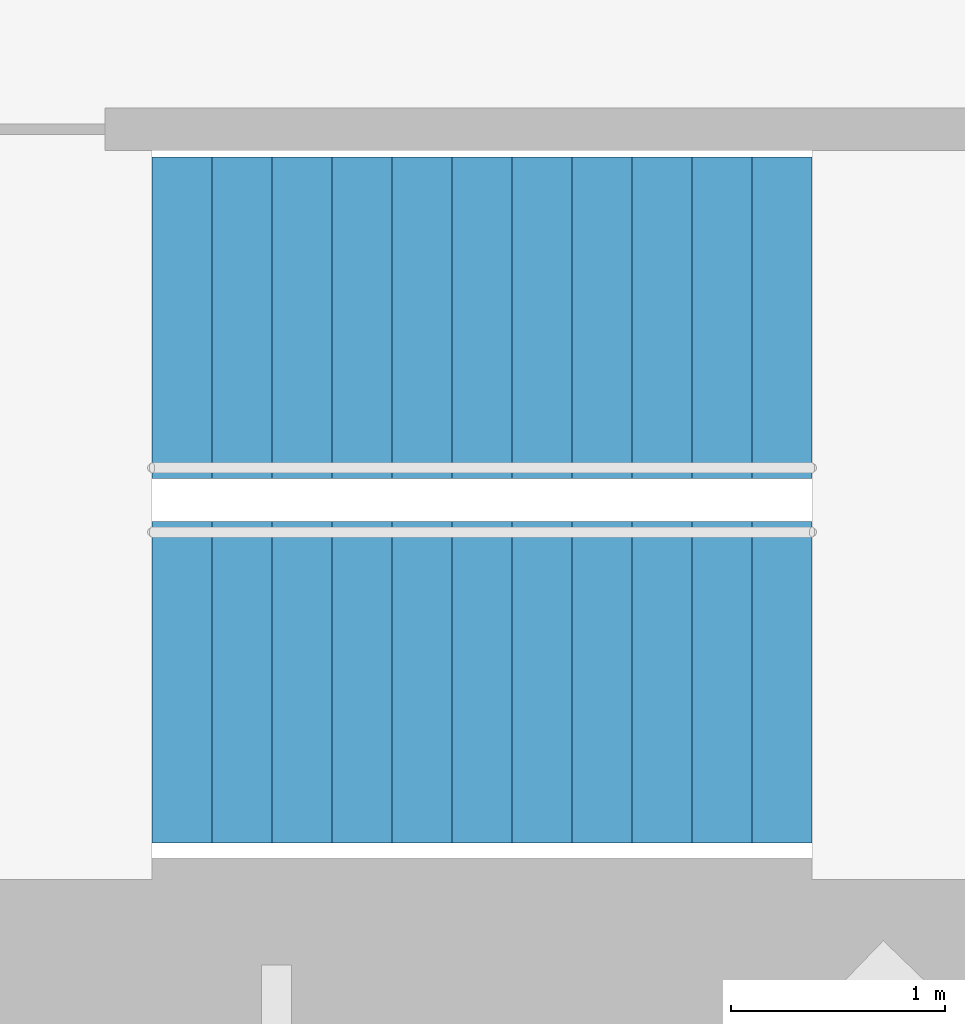
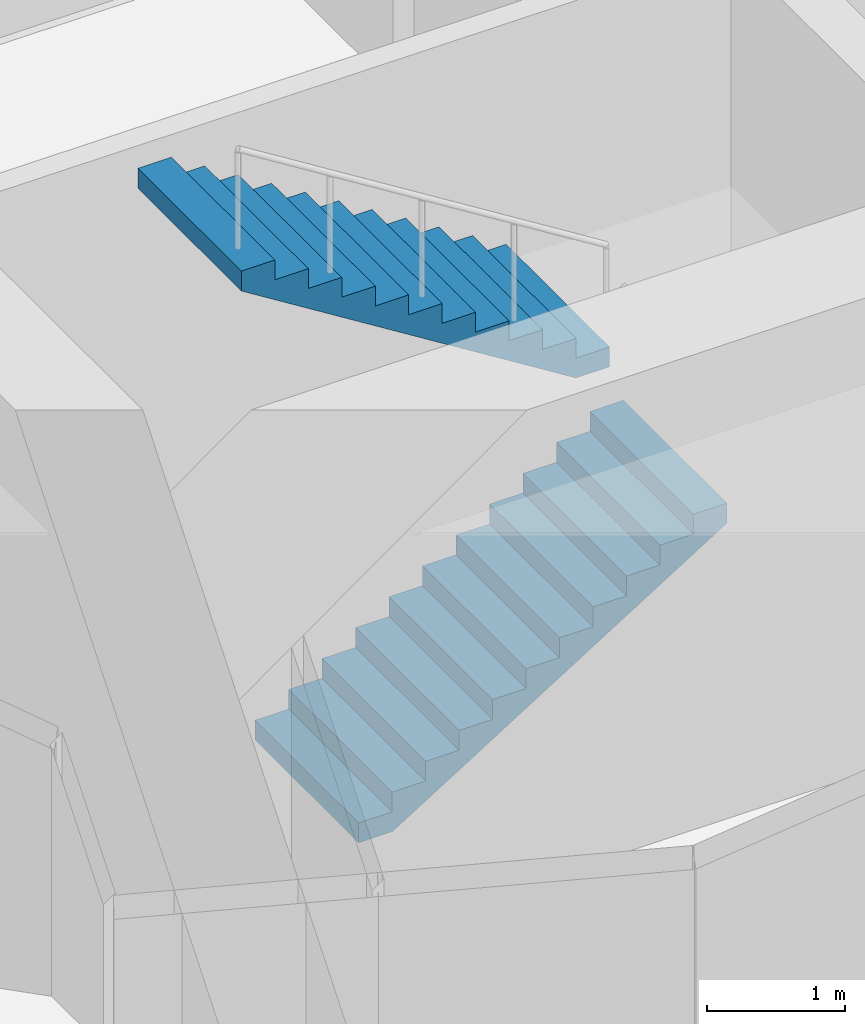
# One storey, part 16 of 18: 2 stair flights, 1 element without a shape of its own.
"""IFC4 building model written with IfcOpenShell, lengths in metres."""

from ifc_helpers import new_model, si_unit, direction, frame, origin, place, context, subcontext, project, spatial, triangles, material, type_object, element, aggregate, save


model = new_model("IFC4")

# Units and contexts
model_context = context("Model", 3, precision=1e-05, world=origin(), true_north=direction((0.0, 1.0)))
body_context = subcontext(model_context, "Body", "Model", "MODEL_VIEW")
ifc_project = project(units=[si_unit("LENGTHUNIT", "METRE"), si_unit("AREAUNIT", "SQUARE_METRE"), si_unit("VOLUMEUNIT", "CUBIC_METRE"), si_unit("PLANEANGLEUNIT", "RADIAN"), si_unit("MASSUNIT", "GRAM", prefix="KILO")], contexts=[model_context])

# Site, building, storey
site_placement = place(None, origin())
site = spatial("IfcSite", under=ifc_project, at=site_placement, CompositionType="ELEMENT")
building_placement = place(site_placement, origin())
building = spatial("IfcBuilding", under=site, at=building_placement, Name="Lantaw Convention Tower", CompositionType="ELEMENT")
storey_placement = place(building_placement, frame((0.0, 0.0, 228.39990234375)))
storey = spatial("IfcBuildingStorey", under=building, at=storey_placement, Name="L53", CompositionType="ELEMENT", Elevation=228.39990234375)

# Stair, stair flights
ifc_material = material(Name="Concrete C35/45", Category="concrete")
stair_type = type_object("IfcStairType", Name="Exit stair 1500 riser 175 in 2 flights", PredefinedType="HALF_TURN_STAIR", material=ifc_material)
stair_placement = place(storey_placement, origin())
stair = element("IfcStair", 1, at=stair_placement, inside=storey, type_object=stair_type, Name="Exit stair S1 L53", PredefinedType="HALF_TURN_STAIR")
stair_flight_type = type_object("IfcStairFlightType", Name="Stair flight 1500 riser 175", PredefinedType="STRAIGHT", material=ifc_material)
stair_flight_1_placement = place(storey_placement, frame((-10.580078125, -5.97998046875, 0.0), z_axis=(0.0, 0.0, 1.0), x_axis=(1.0, 0.0, 0.0)))
stair_flight_1 = element("IfcStairFlight", 2, at=stair_flight_1_placement, type_object=stair_flight_type, Name="S1 flight 1", NumberOfRisers=12, NumberOfTreads=11, PredefinedType="STRAIGHT", RiserHeight=0.175, TreadLength=0.28, context=body_context, shape_type="Tessellation", body=[
    triangles([(0.0, 0.75, 0.0), (0.0, 0.75, 0.175), (0.28, 0.75, 0.0), (0.28, 0.75, 0.175), (0.28, 0.75, 0.35), (0.28283517651771284, 0.75, 0.0), (0.28283517651771284, 0.75, 0.35), (0.56, 0.75, 0.17322801467642948), (0.56, 0.75, 0.35), (0.56, 0.75, 0.5249999999999999), (0.8400000000000001, 0.75, 0.34822801467642944), (0.8400000000000001, 0.75, 0.5249999999999999), (0.8400000000000001, 0.75, 0.7), (1.12, 0.75, 0.5232280146764294), (1.12, 0.75, 0.7), (1.12, 0.75, 0.875), (1.4000000000000001, 0.75, 0.6982280146764295), (1.4000000000000001, 0.75, 0.875), (1.4000000000000001, 0.75, 1.0499999999999998), (1.6800000000000002, 0.75, 0.8732280146764294), (1.6800000000000002, 0.75, 1.0499999999999998), (1.6800000000000002, 0.75, 1.2249999999999999), (1.9600000000000002, 0.75, 1.0482280146764293), (1.9600000000000002, 0.75, 1.2249999999999999), (1.9600000000000002, 0.75, 1.4), (2.24, 0.75, 1.2232280146764294), (2.24, 0.75, 1.4), (2.24, 0.75, 1.575), (2.5200000000000005, 0.75, 1.3982280146764294), (2.5200000000000005, 0.75, 1.575), (2.5200000000000005, 0.75, 1.75), (2.8000000000000003, 0.75, 1.5732280146764293), (2.8000000000000003, 0.75, 1.75), (2.8000000000000003, 0.75, 1.9249999999999998), (3.08, 0.75, 1.7482280146764293), (3.08, 0.75, 1.9249999999999998), (0.0, -0.75, 0.0), (0.0, -0.75, 0.175), (0.28, -0.75, 0.0), (0.28, -0.75, 0.175), (0.28, -0.75, 0.35), (0.28283517651771284, -0.75, 0.0), (0.28283517651771284, -0.75, 0.35), (0.56, -0.75, 0.17322801467642948), (0.56, -0.75, 0.35), (0.56, -0.75, 0.5249999999999999), (0.8400000000000001, -0.75, 0.34822801467642944), (0.8400000000000001, -0.75, 0.5249999999999999), (0.8400000000000001, -0.75, 0.7), (1.12, -0.75, 0.5232280146764294), (1.12, -0.75, 0.7), (1.12, -0.75, 0.875), (1.4000000000000001, -0.75, 0.6982280146764295), (1.4000000000000001, -0.75, 0.875), (1.4000000000000001, -0.75, 1.0499999999999998), (1.6800000000000002, -0.75, 0.8732280146764294), (1.6800000000000002, -0.75, 1.0499999999999998), (1.6800000000000002, -0.75, 1.2249999999999999), (1.9600000000000002, -0.75, 1.0482280146764293), (1.9600000000000002, -0.75, 1.2249999999999999), (1.9600000000000002, -0.75, 1.4), (2.24, -0.75, 1.2232280146764294), (2.24, -0.75, 1.4), (2.24, -0.75, 1.575), (2.5200000000000005, -0.75, 1.3982280146764294), (2.5200000000000005, -0.75, 1.575), (2.5200000000000005, -0.75, 1.75), (2.8000000000000003, -0.75, 1.5732280146764293), (2.8000000000000003, -0.75, 1.75), (2.8000000000000003, -0.75, 1.9249999999999998), (3.08, -0.75, 1.7482280146764293), (3.08, -0.75, 1.9249999999999998), (0.0, 0.15000000000000002, 0.175), (0.0, 0.15000000000000002, 0.0), (0.0, 0.0, 0.175), (0.0, 0.0, 0.0), (0.0, -0.15000000000000002, 0.175), (0.0, -0.15000000000000002, 0.0), (0.28, 0.15000000000000002, 0.35), (0.28, 0.15000000000000002, 0.175), (0.28, 0.0, 0.35), (0.28, 0.0, 0.175), (0.28, -0.15000000000000002, 0.35), (0.28, -0.15000000000000002, 0.175), (0.56, 0.15000000000000002, 0.5249999999999999), (0.56, 0.15000000000000002, 0.35), (0.56, 0.0, 0.5249999999999999), (0.56, 0.0, 0.35), (0.56, -0.15000000000000002, 0.5249999999999999), (0.56, -0.15000000000000002, 0.35), (0.8400000000000001, 0.15000000000000002, 0.7), (0.8400000000000001, 0.15000000000000002, 0.5249999999999999), (0.8400000000000001, 0.0, 0.7), (0.8400000000000001, 0.0, 0.5249999999999999), (0.8400000000000001, -0.15000000000000002, 0.7), (0.8400000000000001, -0.15000000000000002, 0.5249999999999999), (1.12, 0.15000000000000002, 0.875), (1.12, 0.15000000000000002, 0.7), (1.12, 0.0, 0.875), (1.12, 0.0, 0.7), (1.12, -0.15000000000000002, 0.875), (1.12, -0.15000000000000002, 0.7), (1.4000000000000001, 0.15000000000000002, 1.0499999999999998), (1.4000000000000001, 0.15000000000000002, 0.875), (1.4000000000000001, 0.0, 1.0499999999999998), (1.4000000000000001, 0.0, 0.875), (1.4000000000000001, -0.15000000000000002, 1.0499999999999998), (1.4000000000000001, -0.15000000000000002, 0.875), (1.6800000000000002, 0.15000000000000002, 1.2249999999999999), (1.6800000000000002, 0.15000000000000002, 1.0499999999999998), (1.6800000000000002, 0.0, 1.2249999999999999), (1.6800000000000002, 0.0, 1.0499999999999998), (1.6800000000000002, -0.15000000000000002, 1.2249999999999999), (1.6800000000000002, -0.15000000000000002, 1.0499999999999998), (1.9600000000000002, 0.15000000000000002, 1.4), (1.9600000000000002, 0.15000000000000002, 1.2249999999999999), (1.9600000000000002, 0.0, 1.4), (1.9600000000000002, 0.0, 1.2249999999999999), (1.9600000000000002, -0.15000000000000002, 1.4), (1.9600000000000002, -0.15000000000000002, 1.2249999999999999), (2.24, 0.15000000000000002, 1.575), (2.24, 0.15000000000000002, 1.4), (2.24, 0.0, 1.575), (2.24, 0.0, 1.4), (2.24, -0.15000000000000002, 1.575), (2.24, -0.15000000000000002, 1.4), (2.5200000000000005, 0.15000000000000002, 1.75), (2.5200000000000005, 0.15000000000000002, 1.575), (2.5200000000000005, 0.0, 1.75), (2.5200000000000005, 0.0, 1.575), (2.5200000000000005, -0.15000000000000002, 1.75), (2.5200000000000005, -0.15000000000000002, 1.575), (2.8000000000000003, 0.15000000000000002, 1.9249999999999998), (2.8000000000000003, 0.15000000000000002, 1.75), (2.8000000000000003, 0.0, 1.9249999999999998), (2.8000000000000003, 0.0, 1.75), (2.8000000000000003, -0.15000000000000002, 1.9249999999999998), (2.8000000000000003, -0.15000000000000002, 1.75), (0.28283517651771284, 0.15000000000000002, 0.35), (0.28283517651771284, 0.0, 0.35), (0.28283517651771284, -0.15000000000000002, 0.35), (3.08, 0.15000000000000002, 1.9249999999999998), (3.08, 0.0, 1.9249999999999998), (3.08, -0.15000000000000002, 1.9249999999999998), (3.08, 0.15000000000000002, 1.7482280146764293), (3.08, 0.0, 1.7482280146764293), (3.08, -0.15000000000000002, 1.7482280146764293), (2.8000000000000003, 0.15000000000000002, 1.5732280146764293), (2.8000000000000003, 0.0, 1.5732280146764293), (2.8000000000000003, -0.15000000000000002, 1.5732280146764293), (2.5200000000000005, 0.15000000000000002, 1.3982280146764294), (2.5200000000000005, 0.0, 1.3982280146764294), (2.5200000000000005, -0.15000000000000002, 1.3982280146764294), (2.24, 0.15000000000000002, 1.2232280146764294), (2.24, 0.0, 1.2232280146764294), (2.24, -0.15000000000000002, 1.2232280146764294), (1.9600000000000002, 0.15000000000000002, 1.0482280146764293), (1.9600000000000002, 0.0, 1.0482280146764293), (1.9600000000000002, -0.15000000000000002, 1.0482280146764293), (1.6800000000000002, 0.15000000000000002, 0.8732280146764294), (1.6800000000000002, 0.0, 0.8732280146764294), (1.6800000000000002, -0.15000000000000002, 0.8732280146764294), (1.4000000000000001, 0.15000000000000002, 0.6982280146764295), (1.4000000000000001, 0.0, 0.6982280146764295), (1.4000000000000001, -0.15000000000000002, 0.6982280146764295), (1.12, 0.15000000000000002, 0.5232280146764294), (1.12, 0.0, 0.5232280146764294), (1.12, -0.15000000000000002, 0.5232280146764294), (0.8400000000000001, 0.15000000000000002, 0.34822801467642944), (0.8400000000000001, 0.0, 0.34822801467642944), (0.8400000000000001, -0.15000000000000002, 0.34822801467642944), (0.56, 0.15000000000000002, 0.17322801467642948), (0.56, 0.0, 0.17322801467642948), (0.56, -0.15000000000000002, 0.17322801467642948), (0.28283517651771284, 0.15000000000000002, 0.0), (0.28283517651771284, 0.0, 0.0), (0.28283517651771284, -0.15000000000000002, 0.0), (0.28, 0.15000000000000002, 0.0), (0.28, 0.0, 0.0), (0.28, -0.15000000000000002, 0.0)], [[1, 4, 3], [1, 2, 4], [3, 4, 6], [4, 7, 6], [4, 5, 7], [6, 9, 8], [6, 7, 9], [8, 9, 11], [9, 12, 11], [9, 10, 12], [11, 12, 14], [12, 15, 14], [12, 13, 15], [14, 15, 17], [15, 18, 17], [15, 16, 18], [17, 18, 20], [18, 21, 20], [18, 19, 21], [20, 21, 23], [21, 24, 23], [21, 22, 24], [23, 24, 26], [24, 27, 26], [24, 25, 27], [26, 27, 29], [27, 30, 29], [27, 28, 30], [29, 30, 32], [30, 33, 32], [30, 31, 33], [32, 33, 35], [33, 36, 35], [33, 34, 36], [37, 39, 40], [37, 40, 38], [39, 42, 40], [40, 42, 43], [40, 43, 41], [42, 44, 45], [42, 45, 43], [44, 47, 45], [45, 47, 48], [45, 48, 46], [47, 50, 48], [48, 50, 51], [48, 51, 49], [50, 53, 51], [51, 53, 54], [51, 54, 52], [53, 56, 54], [54, 56, 57], [54, 57, 55], [56, 59, 57], [57, 59, 60], [57, 60, 58], [59, 62, 60], [60, 62, 63], [60, 63, 61], [62, 65, 63], [63, 65, 66], [63, 66, 64], [65, 68, 66], [66, 68, 69], [66, 69, 67], [68, 71, 69], [69, 71, 72], [69, 72, 70], [1, 73, 2], [1, 74, 73], [74, 75, 73], [74, 76, 75], [76, 77, 75], [76, 78, 77], [78, 38, 77], [78, 37, 38], [4, 79, 5], [4, 80, 79], [80, 81, 79], [80, 82, 81], [82, 83, 81], [82, 84, 83], [84, 41, 83], [84, 40, 41], [9, 85, 10], [9, 86, 85], [86, 87, 85], [86, 88, 87], [88, 89, 87], [88, 90, 89], [90, 46, 89], [90, 45, 46], [12, 91, 13], [12, 92, 91], [92, 93, 91], [92, 94, 93], [94, 95, 93], [94, 96, 95], [96, 49, 95], [96, 48, 49], [15, 97, 16], [15, 98, 97], [98, 99, 97], [98, 100, 99], [100, 101, 99], [100, 102, 101], [102, 52, 101], [102, 51, 52], [18, 103, 19], [18, 104, 103], [104, 105, 103], [104, 106, 105], [106, 107, 105], [106, 108, 107], [108, 55, 107], [108, 54, 55], [21, 109, 22], [21, 110, 109], [110, 111, 109], [110, 112, 111], [112, 113, 111], [112, 114, 113], [114, 58, 113], [114, 57, 58], [24, 115, 25], [24, 116, 115], [116, 117, 115], [116, 118, 117], [118, 119, 117], [118, 120, 119], [120, 61, 119], [120, 60, 61], [27, 121, 28], [27, 122, 121], [122, 123, 121], [122, 124, 123], [124, 125, 123], [124, 126, 125], [126, 64, 125], [126, 63, 64], [30, 127, 31], [30, 128, 127], [128, 129, 127], [128, 130, 129], [130, 131, 129], [130, 132, 131], [132, 67, 131], [132, 66, 67], [33, 133, 34], [33, 134, 133], [134, 135, 133], [134, 136, 135], [136, 137, 135], [136, 138, 137], [138, 70, 137], [138, 69, 70], [2, 80, 4], [2, 73, 80], [73, 82, 80], [73, 75, 82], [75, 84, 82], [75, 77, 84], [77, 40, 84], [77, 38, 40], [5, 139, 7], [5, 79, 139], [79, 140, 139], [79, 81, 140], [81, 141, 140], [81, 83, 141], [83, 43, 141], [83, 41, 43], [7, 86, 9], [7, 139, 86], [139, 88, 86], [139, 140, 88], [140, 90, 88], [140, 141, 90], [141, 45, 90], [141, 43, 45], [10, 92, 12], [10, 85, 92], [85, 94, 92], [85, 87, 94], [87, 96, 94], [87, 89, 96], [89, 48, 96], [89, 46, 48], [13, 98, 15], [13, 91, 98], [91, 100, 98], [91, 93, 100], [93, 102, 100], [93, 95, 102], [95, 51, 102], [95, 49, 51], [16, 104, 18], [16, 97, 104], [97, 106, 104], [97, 99, 106], [99, 108, 106], [99, 101, 108], [101, 54, 108], [101, 52, 54], [19, 110, 21], [19, 103, 110], [103, 112, 110], [103, 105, 112], [105, 114, 112], [105, 107, 114], [107, 57, 114], [107, 55, 57], [22, 116, 24], [22, 109, 116], [109, 118, 116], [109, 111, 118], [111, 120, 118], [111, 113, 120], [113, 60, 120], [113, 58, 60], [25, 122, 27], [25, 115, 122], [115, 124, 122], [115, 117, 124], [117, 126, 124], [117, 119, 126], [119, 63, 126], [119, 61, 63], [28, 128, 30], [28, 121, 128], [121, 130, 128], [121, 123, 130], [123, 132, 130], [123, 125, 132], [125, 66, 132], [125, 64, 66], [31, 134, 33], [31, 127, 134], [127, 136, 134], [127, 129, 136], [129, 138, 136], [129, 131, 138], [131, 69, 138], [131, 67, 69], [34, 142, 36], [34, 133, 142], [133, 143, 142], [133, 135, 143], [135, 144, 143], [135, 137, 144], [137, 72, 144], [137, 70, 72], [36, 145, 35], [36, 142, 145], [142, 146, 145], [142, 143, 146], [143, 147, 146], [143, 144, 147], [144, 71, 147], [144, 72, 71], [35, 148, 32], [35, 145, 148], [145, 149, 148], [145, 146, 149], [146, 150, 149], [146, 147, 150], [147, 68, 150], [147, 71, 68], [32, 151, 29], [32, 148, 151], [148, 152, 151], [148, 149, 152], [149, 153, 152], [149, 150, 153], [150, 65, 153], [150, 68, 65], [29, 154, 26], [29, 151, 154], [151, 155, 154], [151, 152, 155], [152, 156, 155], [152, 153, 156], [153, 62, 156], [153, 65, 62], [26, 157, 23], [26, 154, 157], [154, 158, 157], [154, 155, 158], [155, 159, 158], [155, 156, 159], [156, 59, 159], [156, 62, 59], [23, 160, 20], [23, 157, 160], [157, 161, 160], [157, 158, 161], [158, 162, 161], [158, 159, 162], [159, 56, 162], [159, 59, 56], [20, 163, 17], [20, 160, 163], [160, 164, 163], [160, 161, 164], [161, 165, 164], [161, 162, 165], [162, 53, 165], [162, 56, 53], [17, 166, 14], [17, 163, 166], [163, 167, 166], [163, 164, 167], [164, 168, 167], [164, 165, 168], [165, 50, 168], [165, 53, 50], [14, 169, 11], [14, 166, 169], [166, 170, 169], [166, 167, 170], [167, 171, 170], [167, 168, 171], [168, 47, 171], [168, 50, 47], [11, 172, 8], [11, 169, 172], [169, 173, 172], [169, 170, 173], [170, 174, 173], [170, 171, 174], [171, 44, 174], [171, 47, 44], [8, 175, 6], [8, 172, 175], [172, 176, 175], [172, 173, 176], [173, 177, 176], [173, 174, 177], [174, 42, 177], [174, 44, 42], [6, 178, 3], [6, 175, 178], [175, 179, 178], [175, 176, 179], [176, 180, 179], [176, 177, 180], [177, 39, 180], [177, 42, 39], [3, 74, 1], [3, 178, 74], [178, 76, 74], [178, 179, 76], [179, 78, 76], [179, 180, 78], [180, 37, 78], [180, 39, 37]], closed=True),
])
stair_flight_2_placement = place(storey_placement, frame((-7.5, -4.280029296875, 2.10009765625), z_axis=(0.0, 0.0, 1.0), x_axis=(-1.0, 0.0, 0.0)))
stair_flight_2 = element("IfcStairFlight", 3, at=stair_flight_2_placement, type_object=stair_flight_type, Name="S1 flight 2", NumberOfRisers=12, NumberOfTreads=11, PredefinedType="STRAIGHT", RiserHeight=0.175, TreadLength=0.28, context=body_context, shape_type="Tessellation", body=[
    triangles([(0.0, 0.75, 0.0), (0.0, 0.75, 0.175), (0.28, 0.75, 0.0), (0.28, 0.75, 0.175), (0.28, 0.75, 0.35), (0.28283517651771284, 0.75, 0.0), (0.28283517651771284, 0.75, 0.35), (0.56, 0.75, 0.17322801467642948), (0.56, 0.75, 0.35), (0.56, 0.75, 0.5249999999999999), (0.8400000000000001, 0.75, 0.34822801467642944), (0.8400000000000001, 0.75, 0.5249999999999999), (0.8400000000000001, 0.75, 0.7), (1.12, 0.75, 0.5232280146764294), (1.12, 0.75, 0.7), (1.12, 0.75, 0.875), (1.4000000000000001, 0.75, 0.6982280146764295), (1.4000000000000001, 0.75, 0.875), (1.4000000000000001, 0.75, 1.0499999999999998), (1.6800000000000002, 0.75, 0.8732280146764294), (1.6800000000000002, 0.75, 1.0499999999999998), (1.6800000000000002, 0.75, 1.2249999999999999), (1.9600000000000002, 0.75, 1.0482280146764293), (1.9600000000000002, 0.75, 1.2249999999999999), (1.9600000000000002, 0.75, 1.4), (2.24, 0.75, 1.2232280146764294), (2.24, 0.75, 1.4), (2.24, 0.75, 1.575), (2.5200000000000005, 0.75, 1.3982280146764294), (2.5200000000000005, 0.75, 1.575), (2.5200000000000005, 0.75, 1.75), (2.8000000000000003, 0.75, 1.5732280146764293), (2.8000000000000003, 0.75, 1.75), (2.8000000000000003, 0.75, 1.9249999999999998), (3.08, 0.75, 1.7482280146764293), (3.08, 0.75, 1.9249999999999998), (0.0, -0.75, 0.0), (0.0, -0.75, 0.175), (0.28, -0.75, 0.0), (0.28, -0.75, 0.175), (0.28, -0.75, 0.35), (0.28283517651771284, -0.75, 0.0), (0.28283517651771284, -0.75, 0.35), (0.56, -0.75, 0.17322801467642948), (0.56, -0.75, 0.35), (0.56, -0.75, 0.5249999999999999), (0.8400000000000001, -0.75, 0.34822801467642944), (0.8400000000000001, -0.75, 0.5249999999999999), (0.8400000000000001, -0.75, 0.7), (1.12, -0.75, 0.5232280146764294), (1.12, -0.75, 0.7), (1.12, -0.75, 0.875), (1.4000000000000001, -0.75, 0.6982280146764295), (1.4000000000000001, -0.75, 0.875), (1.4000000000000001, -0.75, 1.0499999999999998), (1.6800000000000002, -0.75, 0.8732280146764294), (1.6800000000000002, -0.75, 1.0499999999999998), (1.6800000000000002, -0.75, 1.2249999999999999), (1.9600000000000002, -0.75, 1.0482280146764293), (1.9600000000000002, -0.75, 1.2249999999999999), (1.9600000000000002, -0.75, 1.4), (2.24, -0.75, 1.2232280146764294), (2.24, -0.75, 1.4), (2.24, -0.75, 1.575), (2.5200000000000005, -0.75, 1.3982280146764294), (2.5200000000000005, -0.75, 1.575), (2.5200000000000005, -0.75, 1.75), (2.8000000000000003, -0.75, 1.5732280146764293), (2.8000000000000003, -0.75, 1.75), (2.8000000000000003, -0.75, 1.9249999999999998), (3.08, -0.75, 1.7482280146764293), (3.08, -0.75, 1.9249999999999998), (0.0, 0.15000000000000002, 0.175), (0.0, 0.15000000000000002, 0.0), (0.0, 0.0, 0.175), (0.0, 0.0, 0.0), (0.0, -0.15000000000000002, 0.175), (0.0, -0.15000000000000002, 0.0), (0.28, 0.15000000000000002, 0.35), (0.28, 0.15000000000000002, 0.175), (0.28, 0.0, 0.35), (0.28, 0.0, 0.175), (0.28, -0.15000000000000002, 0.35), (0.28, -0.15000000000000002, 0.175), (0.56, 0.15000000000000002, 0.5249999999999999), (0.56, 0.15000000000000002, 0.35), (0.56, 0.0, 0.5249999999999999), (0.56, 0.0, 0.35), (0.56, -0.15000000000000002, 0.5249999999999999), (0.56, -0.15000000000000002, 0.35), (0.8400000000000001, 0.15000000000000002, 0.7), (0.8400000000000001, 0.15000000000000002, 0.5249999999999999), (0.8400000000000001, 0.0, 0.7), (0.8400000000000001, 0.0, 0.5249999999999999), (0.8400000000000001, -0.15000000000000002, 0.7), (0.8400000000000001, -0.15000000000000002, 0.5249999999999999), (1.12, 0.15000000000000002, 0.875), (1.12, 0.15000000000000002, 0.7), (1.12, 0.0, 0.875), (1.12, 0.0, 0.7), (1.12, -0.15000000000000002, 0.875), (1.12, -0.15000000000000002, 0.7), (1.4000000000000001, 0.15000000000000002, 1.0499999999999998), (1.4000000000000001, 0.15000000000000002, 0.875), (1.4000000000000001, 0.0, 1.0499999999999998), (1.4000000000000001, 0.0, 0.875), (1.4000000000000001, -0.15000000000000002, 1.0499999999999998), (1.4000000000000001, -0.15000000000000002, 0.875), (1.6800000000000002, 0.15000000000000002, 1.2249999999999999), (1.6800000000000002, 0.15000000000000002, 1.0499999999999998), (1.6800000000000002, 0.0, 1.2249999999999999), (1.6800000000000002, 0.0, 1.0499999999999998), (1.6800000000000002, -0.15000000000000002, 1.2249999999999999), (1.6800000000000002, -0.15000000000000002, 1.0499999999999998), (1.9600000000000002, 0.15000000000000002, 1.4), (1.9600000000000002, 0.15000000000000002, 1.2249999999999999), (1.9600000000000002, 0.0, 1.4), (1.9600000000000002, 0.0, 1.2249999999999999), (1.9600000000000002, -0.15000000000000002, 1.4), (1.9600000000000002, -0.15000000000000002, 1.2249999999999999), (2.24, 0.15000000000000002, 1.575), (2.24, 0.15000000000000002, 1.4), (2.24, 0.0, 1.575), (2.24, 0.0, 1.4), (2.24, -0.15000000000000002, 1.575), (2.24, -0.15000000000000002, 1.4), (2.5200000000000005, 0.15000000000000002, 1.75), (2.5200000000000005, 0.15000000000000002, 1.575), (2.5200000000000005, 0.0, 1.75), (2.5200000000000005, 0.0, 1.575), (2.5200000000000005, -0.15000000000000002, 1.75), (2.5200000000000005, -0.15000000000000002, 1.575), (2.8000000000000003, 0.15000000000000002, 1.9249999999999998), (2.8000000000000003, 0.15000000000000002, 1.75), (2.8000000000000003, 0.0, 1.9249999999999998), (2.8000000000000003, 0.0, 1.75), (2.8000000000000003, -0.15000000000000002, 1.9249999999999998), (2.8000000000000003, -0.15000000000000002, 1.75), (0.28283517651771284, 0.15000000000000002, 0.35), (0.28283517651771284, 0.0, 0.35), (0.28283517651771284, -0.15000000000000002, 0.35), (3.08, 0.15000000000000002, 1.9249999999999998), (3.08, 0.0, 1.9249999999999998), (3.08, -0.15000000000000002, 1.9249999999999998), (3.08, 0.15000000000000002, 1.7482280146764293), (3.08, 0.0, 1.7482280146764293), (3.08, -0.15000000000000002, 1.7482280146764293), (2.8000000000000003, 0.15000000000000002, 1.5732280146764293), (2.8000000000000003, 0.0, 1.5732280146764293), (2.8000000000000003, -0.15000000000000002, 1.5732280146764293), (2.5200000000000005, 0.15000000000000002, 1.3982280146764294), (2.5200000000000005, 0.0, 1.3982280146764294), (2.5200000000000005, -0.15000000000000002, 1.3982280146764294), (2.24, 0.15000000000000002, 1.2232280146764294), (2.24, 0.0, 1.2232280146764294), (2.24, -0.15000000000000002, 1.2232280146764294), (1.9600000000000002, 0.15000000000000002, 1.0482280146764293), (1.9600000000000002, 0.0, 1.0482280146764293), (1.9600000000000002, -0.15000000000000002, 1.0482280146764293), (1.6800000000000002, 0.15000000000000002, 0.8732280146764294), (1.6800000000000002, 0.0, 0.8732280146764294), (1.6800000000000002, -0.15000000000000002, 0.8732280146764294), (1.4000000000000001, 0.15000000000000002, 0.6982280146764295), (1.4000000000000001, 0.0, 0.6982280146764295), (1.4000000000000001, -0.15000000000000002, 0.6982280146764295), (1.12, 0.15000000000000002, 0.5232280146764294), (1.12, 0.0, 0.5232280146764294), (1.12, -0.15000000000000002, 0.5232280146764294), (0.8400000000000001, 0.15000000000000002, 0.34822801467642944), (0.8400000000000001, 0.0, 0.34822801467642944), (0.8400000000000001, -0.15000000000000002, 0.34822801467642944), (0.56, 0.15000000000000002, 0.17322801467642948), (0.56, 0.0, 0.17322801467642948), (0.56, -0.15000000000000002, 0.17322801467642948), (0.28283517651771284, 0.15000000000000002, 0.0), (0.28283517651771284, 0.0, 0.0), (0.28283517651771284, -0.15000000000000002, 0.0), (0.28, 0.15000000000000002, 0.0), (0.28, 0.0, 0.0), (0.28, -0.15000000000000002, 0.0)], [[1, 4, 3], [1, 2, 4], [3, 4, 6], [4, 7, 6], [4, 5, 7], [6, 9, 8], [6, 7, 9], [8, 9, 11], [9, 12, 11], [9, 10, 12], [11, 12, 14], [12, 15, 14], [12, 13, 15], [14, 15, 17], [15, 18, 17], [15, 16, 18], [17, 18, 20], [18, 21, 20], [18, 19, 21], [20, 21, 23], [21, 24, 23], [21, 22, 24], [23, 24, 26], [24, 27, 26], [24, 25, 27], [26, 27, 29], [27, 30, 29], [27, 28, 30], [29, 30, 32], [30, 33, 32], [30, 31, 33], [32, 33, 35], [33, 36, 35], [33, 34, 36], [37, 39, 40], [37, 40, 38], [39, 42, 40], [40, 42, 43], [40, 43, 41], [42, 44, 45], [42, 45, 43], [44, 47, 45], [45, 47, 48], [45, 48, 46], [47, 50, 48], [48, 50, 51], [48, 51, 49], [50, 53, 51], [51, 53, 54], [51, 54, 52], [53, 56, 54], [54, 56, 57], [54, 57, 55], [56, 59, 57], [57, 59, 60], [57, 60, 58], [59, 62, 60], [60, 62, 63], [60, 63, 61], [62, 65, 63], [63, 65, 66], [63, 66, 64], [65, 68, 66], [66, 68, 69], [66, 69, 67], [68, 71, 69], [69, 71, 72], [69, 72, 70], [1, 73, 2], [1, 74, 73], [74, 75, 73], [74, 76, 75], [76, 77, 75], [76, 78, 77], [78, 38, 77], [78, 37, 38], [4, 79, 5], [4, 80, 79], [80, 81, 79], [80, 82, 81], [82, 83, 81], [82, 84, 83], [84, 41, 83], [84, 40, 41], [9, 85, 10], [9, 86, 85], [86, 87, 85], [86, 88, 87], [88, 89, 87], [88, 90, 89], [90, 46, 89], [90, 45, 46], [12, 91, 13], [12, 92, 91], [92, 93, 91], [92, 94, 93], [94, 95, 93], [94, 96, 95], [96, 49, 95], [96, 48, 49], [15, 97, 16], [15, 98, 97], [98, 99, 97], [98, 100, 99], [100, 101, 99], [100, 102, 101], [102, 52, 101], [102, 51, 52], [18, 103, 19], [18, 104, 103], [104, 105, 103], [104, 106, 105], [106, 107, 105], [106, 108, 107], [108, 55, 107], [108, 54, 55], [21, 109, 22], [21, 110, 109], [110, 111, 109], [110, 112, 111], [112, 113, 111], [112, 114, 113], [114, 58, 113], [114, 57, 58], [24, 115, 25], [24, 116, 115], [116, 117, 115], [116, 118, 117], [118, 119, 117], [118, 120, 119], [120, 61, 119], [120, 60, 61], [27, 121, 28], [27, 122, 121], [122, 123, 121], [122, 124, 123], [124, 125, 123], [124, 126, 125], [126, 64, 125], [126, 63, 64], [30, 127, 31], [30, 128, 127], [128, 129, 127], [128, 130, 129], [130, 131, 129], [130, 132, 131], [132, 67, 131], [132, 66, 67], [33, 133, 34], [33, 134, 133], [134, 135, 133], [134, 136, 135], [136, 137, 135], [136, 138, 137], [138, 70, 137], [138, 69, 70], [2, 80, 4], [2, 73, 80], [73, 82, 80], [73, 75, 82], [75, 84, 82], [75, 77, 84], [77, 40, 84], [77, 38, 40], [5, 139, 7], [5, 79, 139], [79, 140, 139], [79, 81, 140], [81, 141, 140], [81, 83, 141], [83, 43, 141], [83, 41, 43], [7, 86, 9], [7, 139, 86], [139, 88, 86], [139, 140, 88], [140, 90, 88], [140, 141, 90], [141, 45, 90], [141, 43, 45], [10, 92, 12], [10, 85, 92], [85, 94, 92], [85, 87, 94], [87, 96, 94], [87, 89, 96], [89, 48, 96], [89, 46, 48], [13, 98, 15], [13, 91, 98], [91, 100, 98], [91, 93, 100], [93, 102, 100], [93, 95, 102], [95, 51, 102], [95, 49, 51], [16, 104, 18], [16, 97, 104], [97, 106, 104], [97, 99, 106], [99, 108, 106], [99, 101, 108], [101, 54, 108], [101, 52, 54], [19, 110, 21], [19, 103, 110], [103, 112, 110], [103, 105, 112], [105, 114, 112], [105, 107, 114], [107, 57, 114], [107, 55, 57], [22, 116, 24], [22, 109, 116], [109, 118, 116], [109, 111, 118], [111, 120, 118], [111, 113, 120], [113, 60, 120], [113, 58, 60], [25, 122, 27], [25, 115, 122], [115, 124, 122], [115, 117, 124], [117, 126, 124], [117, 119, 126], [119, 63, 126], [119, 61, 63], [28, 128, 30], [28, 121, 128], [121, 130, 128], [121, 123, 130], [123, 132, 130], [123, 125, 132], [125, 66, 132], [125, 64, 66], [31, 134, 33], [31, 127, 134], [127, 136, 134], [127, 129, 136], [129, 138, 136], [129, 131, 138], [131, 69, 138], [131, 67, 69], [34, 142, 36], [34, 133, 142], [133, 143, 142], [133, 135, 143], [135, 144, 143], [135, 137, 144], [137, 72, 144], [137, 70, 72], [36, 145, 35], [36, 142, 145], [142, 146, 145], [142, 143, 146], [143, 147, 146], [143, 144, 147], [144, 71, 147], [144, 72, 71], [35, 148, 32], [35, 145, 148], [145, 149, 148], [145, 146, 149], [146, 150, 149], [146, 147, 150], [147, 68, 150], [147, 71, 68], [32, 151, 29], [32, 148, 151], [148, 152, 151], [148, 149, 152], [149, 153, 152], [149, 150, 153], [150, 65, 153], [150, 68, 65], [29, 154, 26], [29, 151, 154], [151, 155, 154], [151, 152, 155], [152, 156, 155], [152, 153, 156], [153, 62, 156], [153, 65, 62], [26, 157, 23], [26, 154, 157], [154, 158, 157], [154, 155, 158], [155, 159, 158], [155, 156, 159], [156, 59, 159], [156, 62, 59], [23, 160, 20], [23, 157, 160], [157, 161, 160], [157, 158, 161], [158, 162, 161], [158, 159, 162], [159, 56, 162], [159, 59, 56], [20, 163, 17], [20, 160, 163], [160, 164, 163], [160, 161, 164], [161, 165, 164], [161, 162, 165], [162, 53, 165], [162, 56, 53], [17, 166, 14], [17, 163, 166], [163, 167, 166], [163, 164, 167], [164, 168, 167], [164, 165, 168], [165, 50, 168], [165, 53, 50], [14, 169, 11], [14, 166, 169], [166, 170, 169], [166, 167, 170], [167, 171, 170], [167, 168, 171], [168, 47, 171], [168, 50, 47], [11, 172, 8], [11, 169, 172], [169, 173, 172], [169, 170, 173], [170, 174, 173], [170, 171, 174], [171, 44, 174], [171, 47, 44], [8, 175, 6], [8, 172, 175], [172, 176, 175], [172, 173, 176], [173, 177, 176], [173, 174, 177], [174, 42, 177], [174, 44, 42], [6, 178, 3], [6, 175, 178], [175, 179, 178], [175, 176, 179], [176, 180, 179], [176, 177, 180], [177, 39, 180], [177, 42, 39], [3, 74, 1], [3, 178, 74], [178, 76, 74], [178, 179, 76], [179, 78, 76], [179, 180, 78], [180, 37, 78], [180, 39, 37]], closed=True),
])
aggregate(stair, [stair_flight_1, stair_flight_2])

save(model, "model.ifc")
